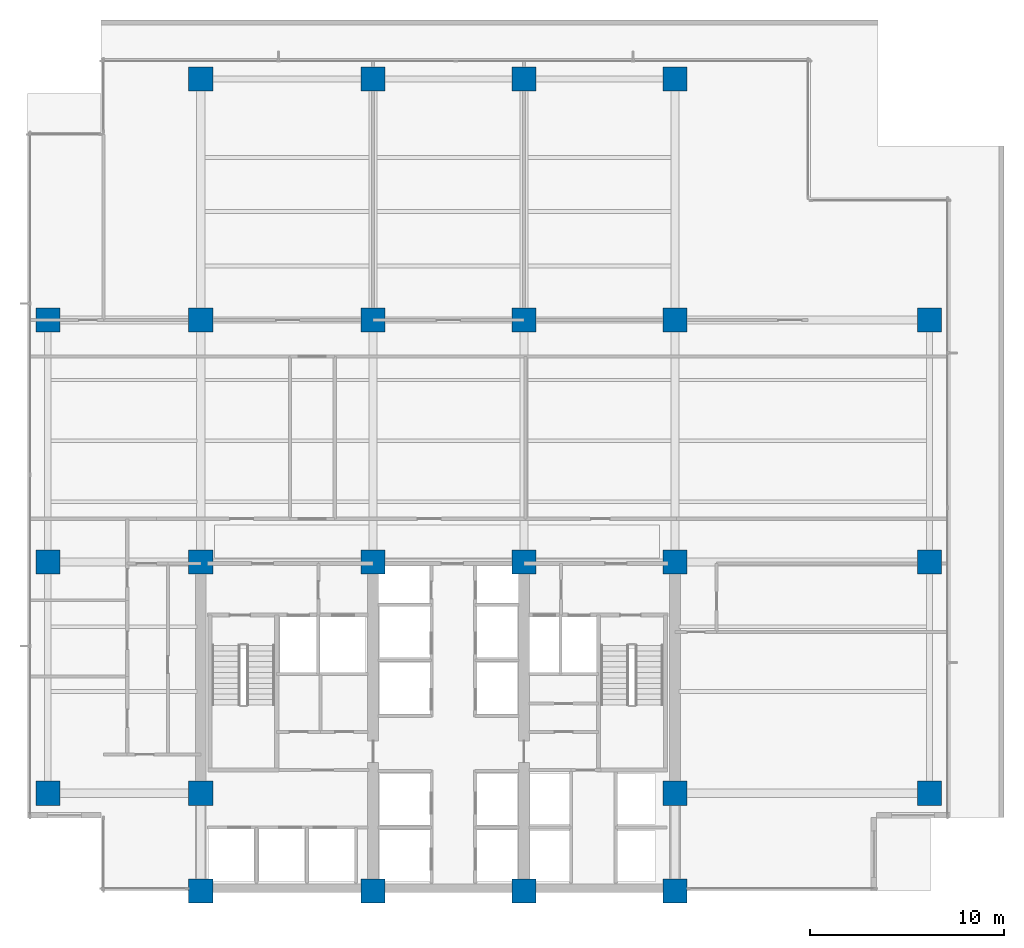
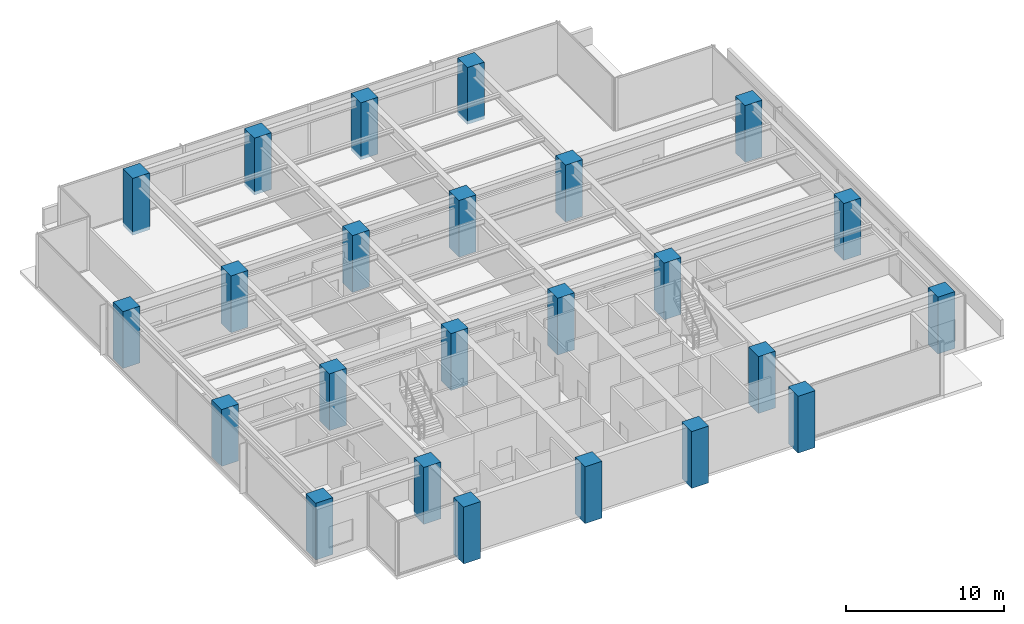
# One storey, part 1 of 16: 24 columns.
"""IFC4 building model written with IfcOpenShell, lengths in metres."""

from ifc_helpers import new_model, si_unit, direction, frame, origin, origin_2d, place, context, subcontext, project, spatial, rectangle, extrude, material, material_profile, profile_set, type_object, element, save


model = new_model("IFC4")

# Units and contexts
model_context = context("Model", 3, precision=1e-05, world=origin(), true_north=direction((0.0, 1.0)))
body_context = subcontext(model_context, "Body", "Model", "MODEL_VIEW")
ifc_project = project(units=[si_unit("LENGTHUNIT", "METRE"), si_unit("AREAUNIT", "SQUARE_METRE"), si_unit("VOLUMEUNIT", "CUBIC_METRE"), si_unit("PLANEANGLEUNIT", "RADIAN"), si_unit("MASSUNIT", "GRAM", prefix="KILO")], contexts=[model_context])

# Site, building, storey
site_placement = place(None, origin())
site = spatial("IfcSite", under=ifc_project, at=site_placement, CompositionType="ELEMENT")
building_placement = place(site_placement, origin())
building = spatial("IfcBuilding", under=site, at=building_placement, Name="Qalmaran Belvedere Hotel", CompositionType="ELEMENT")
storey_placement = place(building_placement, frame((0.0, 0.0, 83.800048828125)))
storey = spatial("IfcBuildingStorey", under=building, at=storey_placement, Name="L20", CompositionType="ELEMENT", Elevation=83.800048828125)

# Columns
ifc_material = material(Name="Concrete C60/75", Category="concrete")
ifc_material_profile = material_profile(ifc_material, rectangle(XDim=1.25, YDim=1.25, at=origin_2d()), Name="CC1250X1250")
ifc_profile_set = profile_set([ifc_material_profile], Name="Concrete C60/75")
column_type = type_object("IfcColumnType", Name="COL-Z2-CC1250", PredefinedType="COLUMN", material=ifc_profile_set)
for number, where, z_axis, x_axis, name in (
    (1, (20.300048828125, 3.5, -0.260009765625), (0.0, 0.0, 1.0), (1.0, 0.0, 0.0), "L20 Column C4B"),
    (2, (29.199951171875, 3.5, -0.260009765625), (0.0, 0.0, 1.0), (1.0, 0.0, 0.0), "L20 Column C5B"),
    (3, (37.0, 3.5, -0.260009765625), (0.0, 0.0, 1.0), (1.0, 0.0, 0.0), "L20 Column C6B"),
    (4, (44.800048828125, 3.5, -0.260009765625), (0.0, 0.0, 1.0), (1.0, 0.0, 0.0), "L20 Column C7B"),
    (5, (20.300048828125, 8.550048828125, -0.260009765625), (0.0, 0.0, 1.0), (1.0, 0.0, 0.0), "L20 Column C4C"),
    (6, (44.800048828125, 8.550048828125, -0.260009765625), (0.0, 0.0, 1.0), (1.0, 0.0, 0.0), "L20 Column C7C"),
    (7, (20.300048828125, 20.5, -0.260009765625), (0.0, 0.0, 1.0), (1.0, 0.0, 0.0), "L20 Column C4D"),
    (8, (29.199951171875, 20.5, -0.260009765625), (0.0, 0.0, 1.0), (1.0, 0.0, 0.0), "L20 Column C5D"),
    (9, (37.0, 20.5, -0.260009765625), (0.0, 0.0, 1.0), (1.0, 0.0, 0.0), "L20 Column C6D"),
    (10, (44.800048828125, 20.5, -0.260009765625), (0.0, 0.0, 1.0), (1.0, 0.0, 0.0), "L20 Column C7D"),
    (11, (20.300048828125, 33.0, -0.260009765625), (0.0, 0.0, 1.0), (1.0, 0.0, 0.0), "L20 Column C4F"),
    (12, (29.199951171875, 33.0, -0.260009765625), (0.0, 0.0, 1.0), (1.0, 0.0, 0.0), "L20 Column C5F"),
    (13, (37.0, 33.0, -0.260009765625), (0.0, 0.0, 1.0), (1.0, 0.0, 0.0), "L20 Column C6F"),
    (14, (44.800048828125, 33.0, -0.260009765625), (0.0, 0.0, 1.0), (1.0, 0.0, 0.0), "L20 Column C7F"),
    (15, (12.39990234375, 8.550048828125, -0.260009765625), (0.0, 0.0, 1.0), (1.0, 0.0, 0.0), "L20 Column CW1"),
    (16, (12.39990234375, 20.5, -0.260009765625), (0.0, 0.0, 1.0), (1.0, 0.0, 0.0), "L20 Column CW3"),
    (17, (12.39990234375, 33.0, -0.260009765625), (0.0, 0.0, 1.0), (1.0, 0.0, 0.0), "L20 Column CW4"),
    (18, (57.949951171875, 8.550048828125, -0.260009765625), (0.0, 0.0, 1.0), (1.0, 0.0, 0.0), "L20 Column CE1"),
    (19, (57.949951171875, 20.5, -0.260009765625), (0.0, 0.0, 1.0), (1.0, 0.0, 0.0), "L20 Column CE3"),
    (20, (57.949951171875, 33.0, -0.260009765625), (0.0, 0.0, 1.0), (1.0, 0.0, 0.0), "L20 Column CE4"),
    (21, (20.300048828125, 45.449951171875, -0.260009765625), (0.0, 0.0, 1.0), (1.0, 0.0, 0.0), "L20 Column CN1"),
    (22, (29.199951171875, 45.449951171875, -0.260009765625), (0.0, 0.0, 1.0), (1.0, 0.0, 0.0), "L20 Column CN2"),
    (23, (37.0, 45.449951171875, -0.260009765625), (0.0, 0.0, 1.0), (1.0, 0.0, 0.0), "L20 Column CN3"),
    (24, (44.800048828125, 45.449951171875, -0.260009765625), (0.0, 0.0, 1.0), (1.0, 0.0, 0.0), "L20 Column CN4"),
):
    element("IfcColumn", number, at=place(storey_placement, frame(where, z_axis=z_axis, x_axis=x_axis)), inside=storey, type_object=column_type, Name=name, PredefinedType="COLUMN", context=body_context, shape_type="SweptSolid", body=[
        extrude(rectangle(XDim=1.25, YDim=1.25, at=origin_2d()), origin(), (0.0, 0.0, 1.0), 4.39990234375),
    ])

save(model, "model.ifc")
